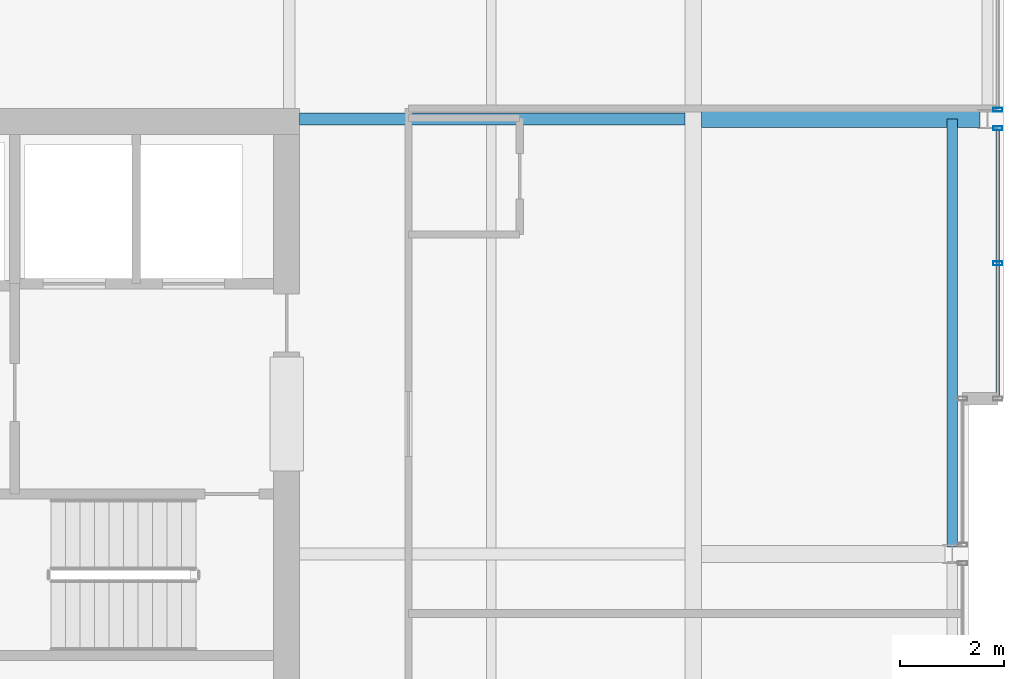
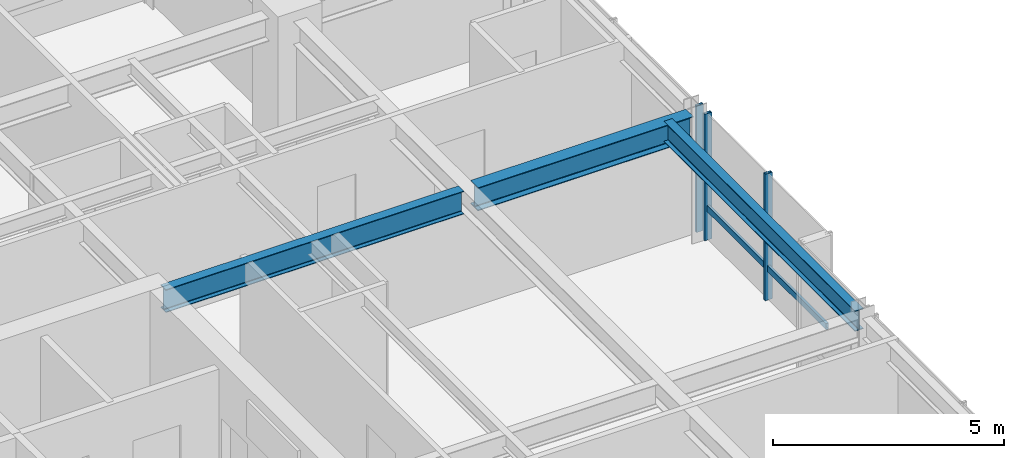
# One storey, part 22 of 32: 4 members, 3 beams, 2 elements without a shape of their own.
"""IFC4 building model written with IfcOpenShell, lengths in metres."""

from ifc_helpers import new_model, si_unit, direction, frame, origin, origin_2d, place, context, subcontext, project, spatial, hollow_rectangle, i_section, extrude, material, layer, layer_set, material_profile, profile_set, type_object, element, aggregate, save


model = new_model("IFC4")

# Units and contexts
model_context = context("Model", 3, precision=1e-05, world=origin(), true_north=direction((0.0, 1.0)))
body_context = subcontext(model_context, "Body", "Model", "MODEL_VIEW")
ifc_project = project(units=[si_unit("LENGTHUNIT", "METRE"), si_unit("AREAUNIT", "SQUARE_METRE"), si_unit("VOLUMEUNIT", "CUBIC_METRE"), si_unit("PLANEANGLEUNIT", "RADIAN"), si_unit("MASSUNIT", "GRAM", prefix="KILO")], contexts=[model_context])

# Site, building, storey
site_placement = place(None, origin())
site = spatial("IfcSite", under=ifc_project, at=site_placement, CompositionType="ELEMENT")
building_placement = place(site_placement, origin())
building = spatial("IfcBuilding", under=site, at=building_placement, Name="Drelvath Grand Hotel", CompositionType="ELEMENT")
storey_placement = place(building_placement, frame((0.0, 0.0, 237.5)))
storey = spatial("IfcBuildingStorey", under=building, at=storey_placement, Name="L62", CompositionType="ELEMENT", Elevation=237.5)

# Curtain wall, members
ifc_material_1 = material(Name="Platinum-Mist Anodised Aluminium Frame", Category="aluminium")
ifc_layer = layer(ifc_material_1, 0.199951171875)
ifc_layer_set = layer_set([ifc_layer], Name="Platinum-Mist Anodised Aluminium Frame")
curtain_wall_type = type_object("IfcCurtainWallType", Name="Stick Curtain Wall CW-05 Platinum Mist High-Rise", PredefinedType="NOTDEFINED", material=ifc_layer_set)
curtain_wall_1_placement = place(storey_placement, origin())
curtain_wall_1 = element("IfcCurtainWall", 1, at=curtain_wall_1_placement, inside=storey, type_object=curtain_wall_type, Name="L62 CW-05 Curtain Wall CW05-L62-EN1", PredefinedType="NOTDEFINED")
ifc_material_profile_1 = material_profile(ifc_material_1, hollow_rectangle(XDim=0.06494140625, YDim=0.159912109375, WallThickness=0.00390625, at=origin_2d()), Name="HSS160X65X4")
ifc_profile_set_1 = profile_set([ifc_material_profile_1], Name="Platinum-Mist Anodised Aluminium Frame")
member_type_1 = type_object("IfcMemberType", Name="Curtain Wall Horizontal Transom CW-05 HSS160X65X4", PredefinedType="USERDEFINED", material=ifc_profile_set_1)
member_1_placement = place(storey_placement, frame((22.080078125, 35.181884765625, 0.8349609375), z_axis=(0.0, -1.0, 0.0), x_axis=(1.0, 0.0, 0.0)))
member_1 = element("IfcMember", 2, at=member_1_placement, type_object=member_type_1, Name="CW05-L62-EN1 Sill Transom", ObjectType="TRANSOM", PredefinedType="USERDEFINED", context=body_context, shape_type="SweptSolid", body=[
    extrude(hollow_rectangle(XDim=0.06494140625, YDim=0.159912109375, WallThickness=0.00390625, at=origin_2d()), origin(), (0.0, 0.0, 1.0), 5.141845703125),
])
ifc_material_profile_2 = material_profile(ifc_material_1, hollow_rectangle(XDim=0.074951171875, YDim=0.179931640625, WallThickness=0.0048828125, at=origin_2d()), Name="HSS180X75X5")
ifc_profile_set_2 = profile_set([ifc_material_profile_2], Name="Platinum-Mist Anodised Aluminium Frame")
member_type_2 = type_object("IfcMemberType", Name="Curtain Wall Vertical Mullion CW-05 HSS180X75X5", PredefinedType="MULLION", material=ifc_profile_set_2)
member_2_placement = place(storey_placement, frame((22.080078125, 35.2216796875, 0.0), z_axis=(0.0, 0.0, 1.0), x_axis=(0.0, 1.0, 0.0)))
member_2 = element("IfcMember", 3, at=member_2_placement, type_object=member_type_2, Name="CW05-L62-EN1 Mullion 1", PredefinedType="MULLION", context=body_context, shape_type="SweptSolid", body=[
    extrude(hollow_rectangle(XDim=0.074951171875, YDim=0.179931640625, WallThickness=0.0048828125, at=origin_2d()), origin(), (0.0, 0.0, 1.0), 3.340087890625),
])
member_3_placement = place(storey_placement, frame((22.080078125, 32.61083984375, 0.0), z_axis=(0.0, 0.0, 1.0), x_axis=(0.0, 1.0, 0.0)))
member_3 = element("IfcMember", 4, at=member_3_placement, type_object=member_type_2, Name="CW05-L62-EN1 Mullion 2", PredefinedType="MULLION", context=body_context, shape_type="SweptSolid", body=[
    extrude(hollow_rectangle(XDim=0.074951171875, YDim=0.179931640625, WallThickness=0.0048828125, at=origin_2d()), origin(), (0.0, 0.0, 1.0), 3.340087890625),
])
aggregate(curtain_wall_1, [member_2, member_3, member_1])

# Curtain wall, member
curtain_wall_2_placement = place(storey_placement, origin())
curtain_wall_2 = element("IfcCurtainWall", 5, at=curtain_wall_2_placement, inside=storey, type_object=curtain_wall_type, Name="L62 CW-05 Curtain Wall CW05-L62-EN2", PredefinedType="NOTDEFINED")
member_4_placement = place(storey_placement, frame((22.080078125, 35.578125, 0.0), z_axis=(0.0, 0.0, 1.0), x_axis=(0.0, 1.0, 0.0)))
member_4 = element("IfcMember", 6, at=member_4_placement, type_object=member_type_2, Name="CW05-L62-EN2 Mullion 3", PredefinedType="MULLION", context=body_context, shape_type="SweptSolid", body=[
    extrude(hollow_rectangle(XDim=0.074951171875, YDim=0.179931640625, WallThickness=0.0048828125, at=origin_2d()), origin(), (0.0, 0.0, 1.0), 3.340087890625),
])
aggregate(curtain_wall_2, [member_4])

# Beams
ifc_material_2 = material(Name="Steel ASTM A992 Gr 50", Category="steel")
ifc_material_profile_3 = material_profile(ifc_material_2, i_section(OverallWidth=0.210205078125, OverallDepth=0.53662109375, WebThickness=0.010986328125, FlangeThickness=0.017333984375, FilletRadius=0.01806640625, at=origin_2d()), Name="W21X68")
ifc_profile_set_3 = profile_set([ifc_material_profile_3], Name="Steel ASTM A992 Gr 50")
beam_type_1 = type_object("IfcBeamType", Name="Perimeter Spandrel Beam W21X68", PredefinedType="SPANDREL", material=ifc_profile_set_3)
beam_1_placement = place(storey_placement, frame((21.199951171875, 27.139892578125, 3.07177734375), z_axis=(0.0, 1.0, 0.0), x_axis=(-1.0, 0.0, 0.0)))
element("IfcBeam", 7, at=beam_1_placement, inside=storey, type_object=beam_type_1, Name="L62 Spandrel East Mid N", PredefinedType="SPANDREL", context=body_context, shape_type="SweptSolid", body=[
    extrude(i_section(OverallWidth=0.210205078125, OverallDepth=0.53662109375, WebThickness=0.010986328125, FlangeThickness=0.017333984375, FilletRadius=0.01806640625, at=origin_2d()), origin(), (0.0, 0.0, 1.0), 8.260009765625),
])
ifc_material_profile_4 = material_profile(ifc_material_2, i_section(OverallWidth=0.323974609375, OverallDepth=0.611083984375, WebThickness=0.0126953125, FlangeThickness=0.01904296875, FilletRadius=0.02197265625, at=origin_2d()), Name="W24X104")
ifc_profile_set_4 = profile_set([ifc_material_profile_4], Name="Steel ASTM A992 Gr 50")
beam_type_2 = type_object("IfcBeamType", Name="Primary Floor Girder W24X104", PredefinedType="BEAM", material=ifc_profile_set_4)
beam_2_placement = place(storey_placement, frame((16.362060546875, 35.39990234375, 3.034423828125), z_axis=(1.0, 0.0, 0.0), x_axis=(0.0, 1.0, 0.0)))
element("IfcBeam", 8, at=beam_2_placement, inside=storey, type_object=beam_type_2, Name="L62 East Wing Girder F", PredefinedType="BEAM", context=body_context, shape_type="SweptSolid", body=[
    extrude(i_section(OverallWidth=0.323974609375, OverallDepth=0.611083984375, WebThickness=0.0126953125, FlangeThickness=0.01904296875, FilletRadius=0.02197265625, at=origin_2d()), origin(), (0.0, 0.0, 1.0), 5.3779296875),
])
ifc_material_profile_5 = material_profile(ifc_material_2, i_section(OverallWidth=0.228271484375, OverallDepth=0.607666015625, WebThickness=0.01123046875, FlangeThickness=0.017333984375, FilletRadius=0.02001953125, at=origin_2d()), Name="W24X76")
ifc_profile_set_5 = profile_set([ifc_material_profile_5], Name="Steel ASTM A992 Gr 50")
beam_type_3 = type_object("IfcBeamType", Name="Primary Floor Girder W24X76", PredefinedType="BEAM", material=ifc_profile_set_5)
beam_3_placement = place(storey_placement, frame((8.60009765625, 35.39990234375, 3.0361328125), z_axis=(1.0, 0.0, 0.0), x_axis=(0.0, 1.0, 0.0)))
element("IfcBeam", 9, at=beam_3_placement, inside=storey, type_object=beam_type_3, Name="L62 East Core Tie F", PredefinedType="BEAM", context=body_context, shape_type="SweptSolid", body=[
    extrude(i_section(OverallWidth=0.228271484375, OverallDepth=0.607666015625, WebThickness=0.01123046875, FlangeThickness=0.017333984375, FilletRadius=0.02001953125, at=origin_2d()), origin(), (0.0, 0.0, 1.0), 7.43798828125),
])

save(model, "model.ifc")
